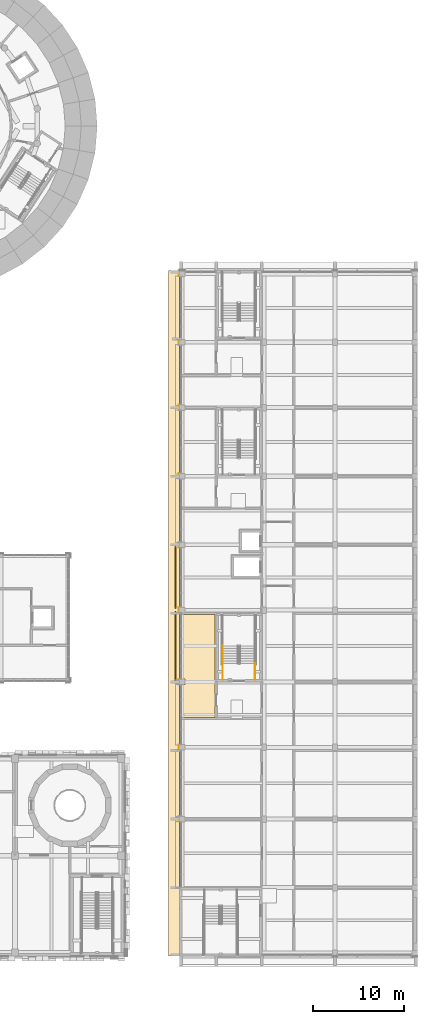
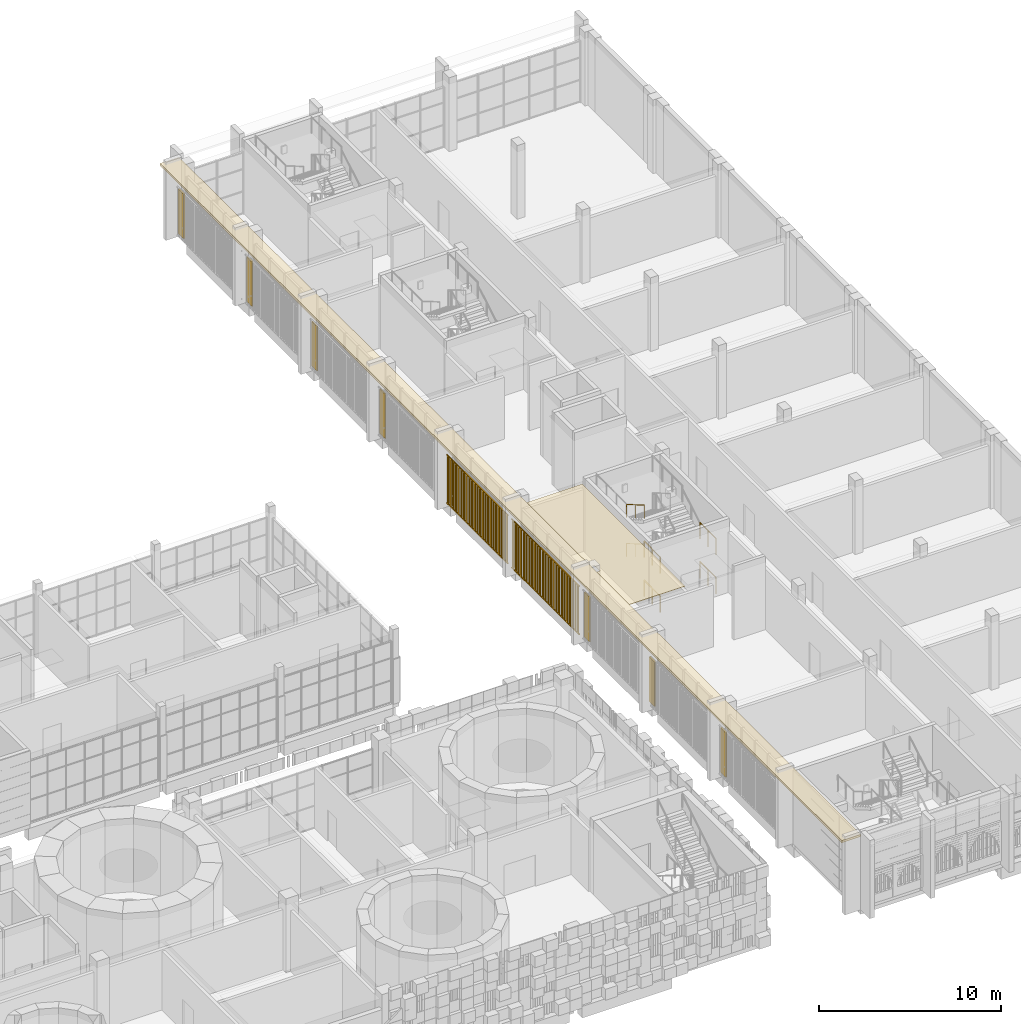
# One storey, part 113 of 125: 6 railings, 3 coverings, 2 shading devices.
"""IFC4 building model written with IfcOpenShell, lengths in metres."""

from ifc_helpers import new_model, si_unit, direction, frame, origin, origin_2d, place, context, subcontext, project, spatial, polyline, rectangle, circle, outline, extrude, material, layer, layer_set, type_object, element, save


model = new_model("IFC4")

# Units and contexts
model_context = context("Model", 3, precision=1e-05, world=origin(), true_north=direction((0.0, 1.0)))
body_context = subcontext(model_context, "Body", "Model", "MODEL_VIEW")
ifc_project = project(units=[si_unit("LENGTHUNIT", "METRE"), si_unit("AREAUNIT", "SQUARE_METRE"), si_unit("VOLUMEUNIT", "CUBIC_METRE"), si_unit("PLANEANGLEUNIT", "RADIAN"), si_unit("MASSUNIT", "GRAM", prefix="KILO")], contexts=[model_context])

# Site, building, storey
site_placement = place(None, origin())
site = spatial("IfcSite", under=ifc_project, at=site_placement, CompositionType="ELEMENT")
building_placement = place(site_placement, origin())
building = spatial("IfcBuilding", under=site, at=building_placement, Name="Sun Court Science Centre", CompositionType="ELEMENT")
storey_placement = place(building_placement, frame((0.0, 0.0, 6.0)))
storey = spatial("IfcBuildingStorey", under=building, at=storey_placement, Name="L01", CompositionType="ELEMENT", Elevation=6.0)

# Covering
ifc_material_1 = material(Name="Gypsum board")
ifc_layer_1 = layer(ifc_material_1, 0.030029296875)
ifc_layer_set_1 = layer_set([ifc_layer_1], Name="Gypsum board")
covering_type_1 = type_object("IfcCoveringType", Name="Ceiling suspended 600 module", PredefinedType="CEILING", material=ifc_layer_set_1)
covering_1_placement = place(storey_placement, frame((0.0, 0.0, 4.52001953125)))
element("IfcCovering", 1, at=covering_1_placement, inside=storey, type_object=covering_type_1, Name="L01-045 ceiling", PredefinedType="CEILING", context=body_context, shape_type="SweptSolid", body=[
    extrude(outline(polyline([(78.199951171875, 43.39990234375), (81.89990234375, 43.39990234375), (81.89990234375, 32.10009765625), (78.199951171875, 32.10009765625), (78.199951171875, 35.699951171875), (78.60009765625, 35.699951171875), (78.60009765625, 36.300048828125), (78.199951171875, 36.300048828125), (78.199951171875, 43.39990234375)])), origin(), (0.0, 0.0, 1.0), 0.030029296875),
])

# Railings
ifc_material_2 = material(Name="Steel S275", Category="steel")
railing_type_1 = type_object("IfcRailingType", Name="Guard 1100 steel balustrade", PredefinedType="GUARDRAIL", material=ifc_material_2)
for number, where, name in (
    (2, (86.27294921875, 36.25, 2.625), "L01 SL2 stair guard 7"),
    (3, (82.72705078125, 36.25, 2.625), "L01 SL2 stair guard 8"),
    (4, (86.27294921875, 36.25, 0.0), "L01 SL2 stair guard 15"),
    (5, (82.72705078125, 36.25, 0.0), "L01 SL2 stair guard 16"),
):
    element("IfcRailing", number, at=place(storey_placement, frame(where)), inside=storey, type_object=railing_type_1, Name=name, PredefinedType="GUARDRAIL", context=body_context, shape_type="SweptSolid", body=[
        extrude(circle(Radius=0.02392578125, at=origin_2d()), frame((0.0, 0.0, 1.076171875), z_axis=(0.0, 1.0, 0.0), x_axis=(-1.0, 0.0, 0.0)), (0.0, 0.0, 1.0), 1.748046875),
        extrude(circle(Radius=0.02099609375, at=origin_2d()), origin(), (0.0, 0.0, 1.0), 1.052001953125),
        extrude(circle(Radius=0.02099609375, at=origin_2d()), frame((0.0, 0.8740234375, 0.0)), (0.0, 0.0, 1.0), 1.052001953125),
        extrude(circle(Radius=0.02099609375, at=origin_2d()), frame((0.0, 1.748046875, 0.0)), (0.0, 0.0, 1.0), 1.052001953125),
    ])
ifc_material_3 = material(Name="Stainless steel", Category="steel")
railing_type_2 = type_object("IfcRailingType", Name="Handrail 900 stainless", PredefinedType="HANDRAIL", material=ifc_material_3)
for number, where, name in (
    (6, (82.72705078125, 39.9580078125, 1.4765625), "L01 SL2 stair handrail 2"),
    (7, (82.72705078125, 39.9580078125, 4.1015625), "L01 SL2 stair handrail 4"),
):
    element("IfcRailing", number, at=place(storey_placement, frame(where)), inside=storey, type_object=railing_type_2, Name=name, PredefinedType="HANDRAIL", context=body_context, shape_type="SweptSolid", body=[
        extrude(circle(Radius=0.02392578125, at=origin_2d()), frame((0.0, 0.0, 0.8759765625), z_axis=(0.0, -0.862794965445, 0.505554000679), x_axis=(1.0, 0.0, 0.0)), (0.0, 0.0, 1.0), 2.271728515625),
        extrude(circle(Radius=0.02099609375, at=origin_2d()), origin(), (0.0, 0.0, 1.0), 0.851806640625),
        extrude(circle(Radius=0.02099609375, at=origin_2d()), frame((0.0, -0.97998046875, 0.57421875)), (0.0, 0.0, 1.0), 0.851806640625),
        extrude(circle(Radius=0.02099609375, at=origin_2d()), frame((0.0, -1.9599609375, 1.1484375)), (0.0, 0.0, 1.0), 0.851806640625),
    ])

# Shading devices
ifc_material_4 = material(Name="Red sandstone", Category="masonry")
ifc_layer_2 = layer(ifc_material_4, 0.06005859375)
ifc_layer_set_2 = layer_set([ifc_layer_2], Name="Red sandstone")
shading_device_type = type_object("IfcShadingDeviceType", Name="Jali screen, sandstone", PredefinedType="USERDEFINED", material=ifc_layer_set_2)
shading_device_1_placement = place(storey_placement, frame((0.0, 0.0, -6.0)))
element("IfcShadingDevice", 8, at=shading_device_1_placement, inside=storey, type_object=shading_device_type, Name="Jali screen west face L01 04", ObjectType="JALI SCREEN", PredefinedType="USERDEFINED", context=body_context, shape_type="SweptSolid", body=[
    extrude(rectangle(XDim=0.1201171875, YDim=0.06005859375, at=origin_2d()), frame((77.570068359375, 36.34912109375, 6.33984375), z_axis=(0.0, 0.0, 1.0), x_axis=(0.0, 1.0, 0.0)), (0.0, 0.0, 1.0), 3.219970703125),
    extrude(rectangle(XDim=0.1201171875, YDim=0.06005859375, at=origin_2d()), frame((77.570068359375, 36.64697265625, 6.33984375), z_axis=(0.0, 0.0, 1.0), x_axis=(0.0, 1.0, 0.0)), (0.0, 0.0, 1.0), 3.219970703125),
    extrude(rectangle(XDim=0.1201171875, YDim=0.06005859375, at=origin_2d()), frame((77.570068359375, 36.945068359375, 6.33984375), z_axis=(0.0, 0.0, 1.0), x_axis=(0.0, 1.0, 0.0)), (0.0, 0.0, 1.0), 3.219970703125),
    extrude(rectangle(XDim=0.1201171875, YDim=0.06005859375, at=origin_2d()), frame((77.570068359375, 37.242919921875, 6.33984375), z_axis=(0.0, 0.0, 1.0), x_axis=(0.0, 1.0, 0.0)), (0.0, 0.0, 1.0), 3.219970703125),
    extrude(rectangle(XDim=0.1201171875, YDim=0.06005859375, at=origin_2d()), frame((77.570068359375, 37.541015625, 6.33984375), z_axis=(0.0, 0.0, 1.0), x_axis=(0.0, 1.0, 0.0)), (0.0, 0.0, 1.0), 3.219970703125),
    extrude(rectangle(XDim=0.1201171875, YDim=0.06005859375, at=origin_2d()), frame((77.570068359375, 37.839111328125, 6.33984375), z_axis=(0.0, 0.0, 1.0), x_axis=(0.0, 1.0, 0.0)), (0.0, 0.0, 1.0), 3.219970703125),
    extrude(rectangle(XDim=0.1201171875, YDim=0.06005859375, at=origin_2d()), frame((77.570068359375, 38.136962890625, 6.33984375), z_axis=(0.0, 0.0, 1.0), x_axis=(0.0, 1.0, 0.0)), (0.0, 0.0, 1.0), 3.219970703125),
    extrude(rectangle(XDim=0.1201171875, YDim=0.06005859375, at=origin_2d()), frame((77.570068359375, 38.43505859375, 6.33984375), z_axis=(0.0, 0.0, 1.0), x_axis=(0.0, 1.0, 0.0)), (0.0, 0.0, 1.0), 3.219970703125),
    extrude(rectangle(XDim=0.1201171875, YDim=0.06005859375, at=origin_2d()), frame((77.570068359375, 38.73291015625, 6.33984375), z_axis=(0.0, 0.0, 1.0), x_axis=(0.0, 1.0, 0.0)), (0.0, 0.0, 1.0), 3.219970703125),
    extrude(rectangle(XDim=0.1201171875, YDim=0.06005859375, at=origin_2d()), frame((77.570068359375, 39.031005859375, 6.33984375), z_axis=(0.0, 0.0, 1.0), x_axis=(0.0, 1.0, 0.0)), (0.0, 0.0, 1.0), 3.219970703125),
    extrude(rectangle(XDim=0.1201171875, YDim=0.06005859375, at=origin_2d()), frame((77.570068359375, 39.3291015625, 6.33984375), z_axis=(0.0, 0.0, 1.0), x_axis=(0.0, 1.0, 0.0)), (0.0, 0.0, 1.0), 3.219970703125),
    extrude(rectangle(XDim=0.1201171875, YDim=0.06005859375, at=origin_2d()), frame((77.570068359375, 39.626953125, 6.33984375), z_axis=(0.0, 0.0, 1.0), x_axis=(0.0, 1.0, 0.0)), (0.0, 0.0, 1.0), 3.219970703125),
    extrude(rectangle(XDim=0.1201171875, YDim=0.06005859375, at=origin_2d()), frame((77.570068359375, 39.925048828125, 6.33984375), z_axis=(0.0, 0.0, 1.0), x_axis=(0.0, 1.0, 0.0)), (0.0, 0.0, 1.0), 3.219970703125),
    extrude(rectangle(XDim=0.1201171875, YDim=0.06005859375, at=origin_2d()), frame((77.570068359375, 40.222900390625, 6.33984375), z_axis=(0.0, 0.0, 1.0), x_axis=(0.0, 1.0, 0.0)), (0.0, 0.0, 1.0), 3.219970703125),
    extrude(rectangle(XDim=0.1201171875, YDim=0.06005859375, at=origin_2d()), frame((77.570068359375, 40.52099609375, 6.33984375), z_axis=(0.0, 0.0, 1.0), x_axis=(0.0, 1.0, 0.0)), (0.0, 0.0, 1.0), 3.219970703125),
    extrude(rectangle(XDim=0.1201171875, YDim=0.06005859375, at=origin_2d()), frame((77.570068359375, 40.819091796875, 6.33984375), z_axis=(0.0, 0.0, 1.0), x_axis=(0.0, 1.0, 0.0)), (0.0, 0.0, 1.0), 3.219970703125),
    extrude(rectangle(XDim=0.1201171875, YDim=0.06005859375, at=origin_2d()), frame((77.570068359375, 41.116943359375, 6.33984375), z_axis=(0.0, 0.0, 1.0), x_axis=(0.0, 1.0, 0.0)), (0.0, 0.0, 1.0), 3.219970703125),
    extrude(rectangle(XDim=0.1201171875, YDim=0.06005859375, at=origin_2d()), frame((77.570068359375, 41.4150390625, 6.33984375), z_axis=(0.0, 0.0, 1.0), x_axis=(0.0, 1.0, 0.0)), (0.0, 0.0, 1.0), 3.219970703125),
    extrude(rectangle(XDim=0.1201171875, YDim=0.06005859375, at=origin_2d()), frame((77.570068359375, 41.712890625, 6.33984375), z_axis=(0.0, 0.0, 1.0), x_axis=(0.0, 1.0, 0.0)), (0.0, 0.0, 1.0), 3.219970703125),
    extrude(rectangle(XDim=0.1201171875, YDim=0.06005859375, at=origin_2d()), frame((77.570068359375, 42.010986328125, 6.33984375), z_axis=(0.0, 0.0, 1.0), x_axis=(0.0, 1.0, 0.0)), (0.0, 0.0, 1.0), 3.219970703125),
    extrude(rectangle(XDim=0.1201171875, YDim=0.06005859375, at=origin_2d()), frame((77.570068359375, 42.30908203125, 6.33984375), z_axis=(0.0, 0.0, 1.0), x_axis=(0.0, 1.0, 0.0)), (0.0, 0.0, 1.0), 3.219970703125),
    extrude(rectangle(XDim=0.1201171875, YDim=0.06005859375, at=origin_2d()), frame((77.570068359375, 42.60693359375, 6.33984375), z_axis=(0.0, 0.0, 1.0), x_axis=(0.0, 1.0, 0.0)), (0.0, 0.0, 1.0), 3.219970703125),
    extrude(rectangle(XDim=0.1201171875, YDim=0.06005859375, at=origin_2d()), frame((77.570068359375, 42.905029296875, 6.33984375), z_axis=(0.0, 0.0, 1.0), x_axis=(0.0, 1.0, 0.0)), (0.0, 0.0, 1.0), 3.219970703125),
    extrude(rectangle(XDim=0.1201171875, YDim=0.06005859375, at=origin_2d()), frame((77.570068359375, 43.202880859375, 6.33984375), z_axis=(0.0, 0.0, 1.0), x_axis=(0.0, 1.0, 0.0)), (0.0, 0.0, 1.0), 3.219970703125),
    extrude(rectangle(XDim=0.1201171875, YDim=0.06005859375, at=origin_2d()), frame((77.570068359375, 43.5009765625, 6.33984375), z_axis=(0.0, 0.0, 1.0), x_axis=(0.0, 1.0, 0.0)), (0.0, 0.0, 1.0), 3.219970703125),
    extrude(rectangle(XDim=7.449951171875, YDim=0.06005859375, at=origin_2d()), frame((77.570068359375, 39.925048828125, 6.300048828125), z_axis=(0.0, 0.0, 1.0), x_axis=(0.0, 1.0, 0.0)), (0.0, 0.0, 1.0), 0.06005859375),
    extrude(rectangle(XDim=7.449951171875, YDim=0.06005859375, at=origin_2d()), frame((77.570068359375, 39.925048828125, 9.5400390625), z_axis=(0.0, 0.0, 1.0), x_axis=(0.0, 1.0, 0.0)), (0.0, 0.0, 1.0), 0.06005859375),
])
shading_device_2_placement = place(storey_placement, frame((0.0, 0.0, -6.0)))
element("IfcShadingDevice", 9, at=shading_device_2_placement, inside=storey, type_object=shading_device_type, Name="Jali screen west face L01 05", ObjectType="JALI SCREEN", PredefinedType="USERDEFINED", context=body_context, shape_type="SweptSolid", body=[
    extrude(rectangle(XDim=0.1201171875, YDim=0.06005859375, at=origin_2d()), frame((77.570068359375, 44.19677734375, 6.33984375), z_axis=(0.0, 0.0, 1.0), x_axis=(0.0, 1.0, 0.0)), (0.0, 0.0, 1.0), 3.219970703125),
    extrude(rectangle(XDim=0.1201171875, YDim=0.06005859375, at=origin_2d()), frame((77.570068359375, 44.490234375, 6.33984375), z_axis=(0.0, 0.0, 1.0), x_axis=(0.0, 1.0, 0.0)), (0.0, 0.0, 1.0), 3.219970703125),
    extrude(rectangle(XDim=0.1201171875, YDim=0.06005859375, at=origin_2d()), frame((77.570068359375, 44.78369140625, 6.33984375), z_axis=(0.0, 0.0, 1.0), x_axis=(0.0, 1.0, 0.0)), (0.0, 0.0, 1.0), 3.219970703125),
    extrude(rectangle(XDim=0.1201171875, YDim=0.06005859375, at=origin_2d()), frame((77.570068359375, 45.0771484375, 6.33984375), z_axis=(0.0, 0.0, 1.0), x_axis=(0.0, 1.0, 0.0)), (0.0, 0.0, 1.0), 3.219970703125),
    extrude(rectangle(XDim=0.1201171875, YDim=0.06005859375, at=origin_2d()), frame((77.570068359375, 45.37060546875, 6.33984375), z_axis=(0.0, 0.0, 1.0), x_axis=(0.0, 1.0, 0.0)), (0.0, 0.0, 1.0), 3.219970703125),
    extrude(rectangle(XDim=0.1201171875, YDim=0.06005859375, at=origin_2d()), frame((77.570068359375, 45.6640625, 6.33984375), z_axis=(0.0, 0.0, 1.0), x_axis=(0.0, 1.0, 0.0)), (0.0, 0.0, 1.0), 3.219970703125),
    extrude(rectangle(XDim=0.1201171875, YDim=0.06005859375, at=origin_2d()), frame((77.570068359375, 45.95751953125, 6.33984375), z_axis=(0.0, 0.0, 1.0), x_axis=(0.0, 1.0, 0.0)), (0.0, 0.0, 1.0), 3.219970703125),
    extrude(rectangle(XDim=0.1201171875, YDim=0.06005859375, at=origin_2d()), frame((77.570068359375, 46.2509765625, 6.33984375), z_axis=(0.0, 0.0, 1.0), x_axis=(0.0, 1.0, 0.0)), (0.0, 0.0, 1.0), 3.219970703125),
    extrude(rectangle(XDim=0.1201171875, YDim=0.06005859375, at=origin_2d()), frame((77.570068359375, 46.544677734375, 6.33984375), z_axis=(0.0, 0.0, 1.0), x_axis=(0.0, 1.0, 0.0)), (0.0, 0.0, 1.0), 3.219970703125),
    extrude(rectangle(XDim=0.1201171875, YDim=0.06005859375, at=origin_2d()), frame((77.570068359375, 46.838134765625, 6.33984375), z_axis=(0.0, 0.0, 1.0), x_axis=(0.0, 1.0, 0.0)), (0.0, 0.0, 1.0), 3.219970703125),
    extrude(rectangle(XDim=0.1201171875, YDim=0.06005859375, at=origin_2d()), frame((77.570068359375, 47.131591796875, 6.33984375), z_axis=(0.0, 0.0, 1.0), x_axis=(0.0, 1.0, 0.0)), (0.0, 0.0, 1.0), 3.219970703125),
    extrude(rectangle(XDim=0.1201171875, YDim=0.06005859375, at=origin_2d()), frame((77.570068359375, 47.425048828125, 6.33984375), z_axis=(0.0, 0.0, 1.0), x_axis=(0.0, 1.0, 0.0)), (0.0, 0.0, 1.0), 3.219970703125),
    extrude(rectangle(XDim=0.1201171875, YDim=0.06005859375, at=origin_2d()), frame((77.570068359375, 47.718505859375, 6.33984375), z_axis=(0.0, 0.0, 1.0), x_axis=(0.0, 1.0, 0.0)), (0.0, 0.0, 1.0), 3.219970703125),
    extrude(rectangle(XDim=0.1201171875, YDim=0.06005859375, at=origin_2d()), frame((77.570068359375, 48.011962890625, 6.33984375), z_axis=(0.0, 0.0, 1.0), x_axis=(0.0, 1.0, 0.0)), (0.0, 0.0, 1.0), 3.219970703125),
    extrude(rectangle(XDim=0.1201171875, YDim=0.06005859375, at=origin_2d()), frame((77.570068359375, 48.305419921875, 6.33984375), z_axis=(0.0, 0.0, 1.0), x_axis=(0.0, 1.0, 0.0)), (0.0, 0.0, 1.0), 3.219970703125),
    extrude(rectangle(XDim=0.1201171875, YDim=0.06005859375, at=origin_2d()), frame((77.570068359375, 48.598876953125, 6.33984375), z_axis=(0.0, 0.0, 1.0), x_axis=(0.0, 1.0, 0.0)), (0.0, 0.0, 1.0), 3.219970703125),
    extrude(rectangle(XDim=0.1201171875, YDim=0.06005859375, at=origin_2d()), frame((77.570068359375, 48.892333984375, 6.33984375), z_axis=(0.0, 0.0, 1.0), x_axis=(0.0, 1.0, 0.0)), (0.0, 0.0, 1.0), 3.219970703125),
    extrude(rectangle(XDim=0.1201171875, YDim=0.06005859375, at=origin_2d()), frame((77.570068359375, 49.185791015625, 6.33984375), z_axis=(0.0, 0.0, 1.0), x_axis=(0.0, 1.0, 0.0)), (0.0, 0.0, 1.0), 3.219970703125),
    extrude(rectangle(XDim=0.1201171875, YDim=0.06005859375, at=origin_2d()), frame((77.570068359375, 49.479248046875, 6.33984375), z_axis=(0.0, 0.0, 1.0), x_axis=(0.0, 1.0, 0.0)), (0.0, 0.0, 1.0), 3.219970703125),
    extrude(rectangle(XDim=0.1201171875, YDim=0.06005859375, at=origin_2d()), frame((77.570068359375, 49.772705078125, 6.33984375), z_axis=(0.0, 0.0, 1.0), x_axis=(0.0, 1.0, 0.0)), (0.0, 0.0, 1.0), 3.219970703125),
    extrude(rectangle(XDim=0.1201171875, YDim=0.06005859375, at=origin_2d()), frame((77.570068359375, 50.06640625, 6.33984375), z_axis=(0.0, 0.0, 1.0), x_axis=(0.0, 1.0, 0.0)), (0.0, 0.0, 1.0), 3.219970703125),
    extrude(rectangle(XDim=0.1201171875, YDim=0.06005859375, at=origin_2d()), frame((77.570068359375, 50.35986328125, 6.33984375), z_axis=(0.0, 0.0, 1.0), x_axis=(0.0, 1.0, 0.0)), (0.0, 0.0, 1.0), 3.219970703125),
    extrude(rectangle(XDim=0.1201171875, YDim=0.06005859375, at=origin_2d()), frame((77.570068359375, 50.6533203125, 6.33984375), z_axis=(0.0, 0.0, 1.0), x_axis=(0.0, 1.0, 0.0)), (0.0, 0.0, 1.0), 3.219970703125),
    extrude(rectangle(XDim=6.75, YDim=0.06005859375, at=origin_2d()), frame((77.570068359375, 47.425048828125, 6.300048828125), z_axis=(0.0, 0.0, 1.0), x_axis=(0.0, 1.0, 0.0)), (0.0, 0.0, 1.0), 0.06005859375),
    extrude(rectangle(XDim=6.75, YDim=0.06005859375, at=origin_2d()), frame((77.570068359375, 47.425048828125, 9.5400390625), z_axis=(0.0, 0.0, 1.0), x_axis=(0.0, 1.0, 0.0)), (0.0, 0.0, 1.0), 0.06005859375),
])

# Coverings
ifc_material_5 = material(Name="Red sandstone", Category="masonry")
ifc_layer_3 = layer(ifc_material_5, 0.080078125)
ifc_layer_set_3 = layer_set([ifc_layer_3], Name="Red sandstone")
covering_type_2 = type_object("IfcCoveringType", Name="Red sandstone pier cladding", PredefinedType="CLADDING", material=ifc_layer_set_3)
covering_2_placement = place(storey_placement, frame((0.0, 0.0, -6.0)))
element("IfcCovering", 10, at=covering_2_placement, inside=storey, type_object=covering_type_2, Name="Red sandstone pier cladding west face L01", PredefinedType="CLADDING", context=body_context, shape_type="SweptSolid", body=[
    extrude(rectangle(XDim=0.60009765625, YDim=0.080078125, at=origin_2d()), frame((77.9599609375, 21.0, 6.0), z_axis=(0.0, 0.0, 1.0), x_axis=(0.0, 1.0, 0.0)), (0.0, 0.0, 1.0), 3.0),
    extrude(rectangle(XDim=0.60009765625, YDim=0.080078125, at=origin_2d()), frame((77.9599609375, 28.85009765625, 6.0), z_axis=(0.0, 0.0, 1.0), x_axis=(0.0, 1.0, 0.0)), (0.0, 0.0, 1.0), 3.0),
    extrude(rectangle(XDim=0.60009765625, YDim=0.080078125, at=origin_2d()), frame((77.9599609375, 36.0, 6.0), z_axis=(0.0, 0.0, 1.0), x_axis=(0.0, 1.0, 0.0)), (0.0, 0.0, 1.0), 3.0),
    extrude(rectangle(XDim=0.60009765625, YDim=0.080078125, at=origin_2d()), frame((77.9599609375, 43.85009765625, 6.0), z_axis=(0.0, 0.0, 1.0), x_axis=(0.0, 1.0, 0.0)), (0.0, 0.0, 1.0), 3.0),
    extrude(rectangle(XDim=0.60009765625, YDim=0.080078125, at=origin_2d()), frame((77.9599609375, 51.0, 6.0), z_axis=(0.0, 0.0, 1.0), x_axis=(0.0, 1.0, 0.0)), (0.0, 0.0, 1.0), 3.0),
    extrude(rectangle(XDim=0.60009765625, YDim=0.080078125, at=origin_2d()), frame((77.9599609375, 58.5, 6.0), z_axis=(0.0, 0.0, 1.0), x_axis=(0.0, 1.0, 0.0)), (0.0, 0.0, 1.0), 3.0),
    extrude(rectangle(XDim=0.60009765625, YDim=0.080078125, at=origin_2d()), frame((77.9599609375, 66.0, 6.0), z_axis=(0.0, 0.0, 1.0), x_axis=(0.0, 1.0, 0.0)), (0.0, 0.0, 1.0), 3.0),
    extrude(rectangle(XDim=0.60009765625, YDim=0.080078125, at=origin_2d()), frame((77.9599609375, 73.14990234375, 6.0), z_axis=(0.0, 0.0, 1.0), x_axis=(0.0, 1.0, 0.0)), (0.0, 0.0, 1.0), 3.0),
    extrude(rectangle(XDim=0.60009765625, YDim=0.080078125, at=origin_2d()), frame((77.9599609375, 80.64990234375, 6.0), z_axis=(0.0, 0.0, 1.0), x_axis=(0.0, 1.0, 0.0)), (0.0, 0.0, 1.0), 3.0),
])
ifc_material_6 = material(Name="Red sandstone", Category="masonry")
ifc_layer_4 = layer(ifc_material_6, 0.14990234375)
ifc_layer_set_4 = layer_set([ifc_layer_4], Name="Red sandstone")
covering_type_3 = type_object("IfcCoveringType", Name="Sandstone chhajja eave 1200", PredefinedType="CLADDING", material=ifc_layer_set_4)
covering_3_placement = place(storey_placement, frame((0.0, 0.0, 4.919921875)))
element("IfcCovering", 11, at=covering_3_placement, inside=storey, type_object=covering_type_3, Name="Chhajja eave west court face L01", PredefinedType="CLADDING", context=body_context, shape_type="SweptSolid", body=[
    extrude(outline(polyline([(76.800048828125, 6.0), (78.0, 6.0), (78.0, 81.0), (76.800048828125, 81.0), (76.800048828125, 6.0)])), origin(), (0.0, 0.0, 1.0), 0.150146484375),
])

save(model, "model.ifc")
